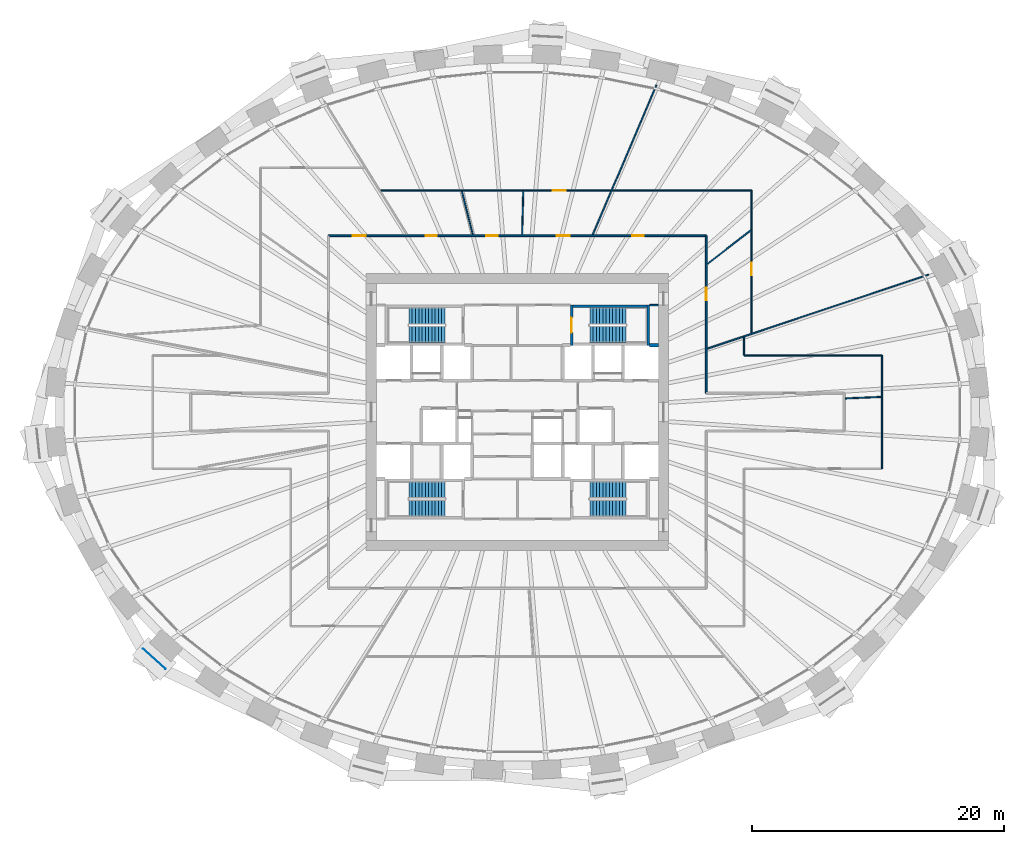
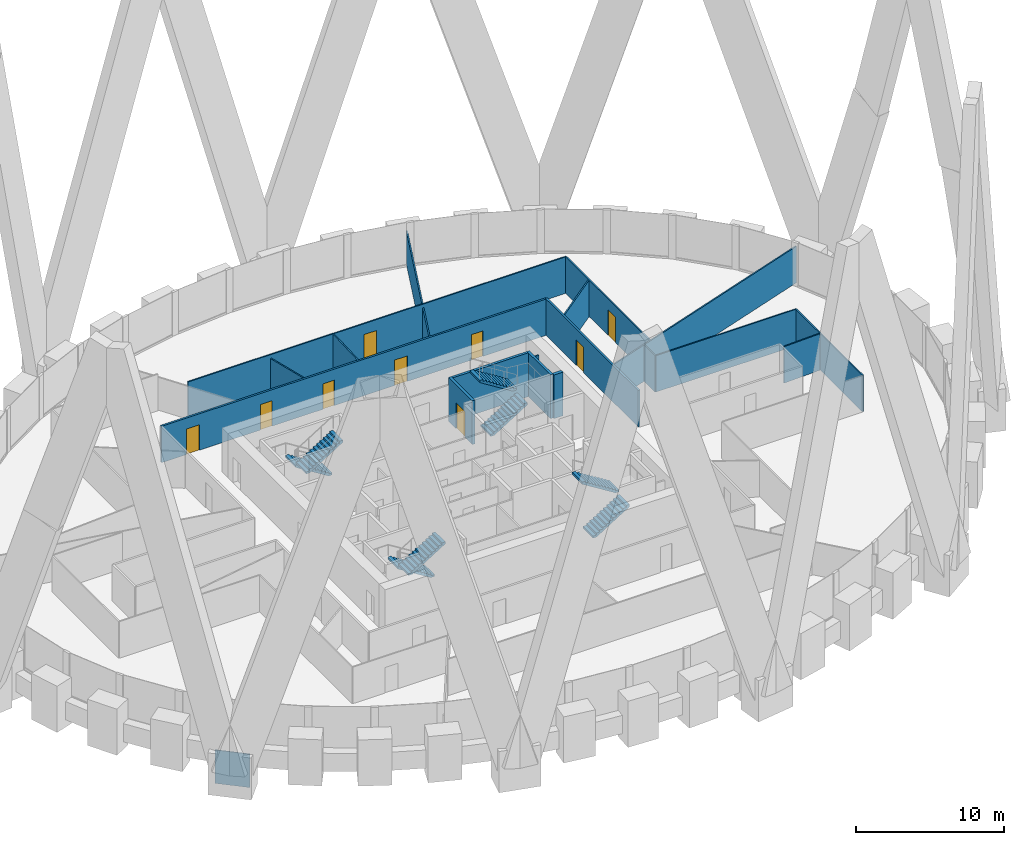
# One storey, part 10 of 12: 18 walls, 9 doors, 8 stair flights, 1 discrete accessory, 9 openings, 4 elements without a shape of their own.
"""IFC4 building model written with IfcOpenShell, lengths in metres."""

from ifc_helpers import new_model, si_unit, direction, frame, frame_2d, origin, origin_2d, place, context, subcontext, project, spatial, polyline, rectangle, outline, extrude, source, transform, mapped, material, layer, layer_set, type_object, element, fill, aggregate, save


model = new_model("IFC4")

# Units and contexts
model_context = context("Model", 3, precision=1e-05, world=origin(), true_north=direction((0.0, 1.0)))
body_context = subcontext(model_context, "Body", "Model", "MODEL_VIEW")
ifc_project = project(units=[si_unit("LENGTHUNIT", "METRE"), si_unit("AREAUNIT", "SQUARE_METRE"), si_unit("VOLUMEUNIT", "CUBIC_METRE"), si_unit("PLANEANGLEUNIT", "RADIAN"), si_unit("MASSUNIT", "GRAM", prefix="KILO")], contexts=[model_context])

# Site, building, storey
site_placement = place(None, origin())
site = spatial("IfcSite", under=ifc_project, at=site_placement, CompositionType="ELEMENT")
building_placement = place(site_placement, origin())
building = spatial("IfcBuilding", under=site, at=building_placement, Name="Embergate Tower", CompositionType="ELEMENT")
storey_placement = place(building_placement, frame((0.0, 0.0, 191.10009765625)))
storey = spatial("IfcBuildingStorey", under=building, at=storey_placement, Name="L43", CompositionType="ELEMENT", Elevation=191.10009765625)

# Wall
ifc_material_1 = material(Name="Concrete C50", Category="concrete")
ifc_layer_1 = layer(ifc_material_1, 0.199951171875)
ifc_layer_set_1 = layer_set([ifc_layer_1], Name="Concrete C50")
wall_type_1 = type_object("IfcWallType", Name="Stair enclosure wall reinforced concrete 250", PredefinedType="SHEAR", material=ifc_layer_set_1)
shared_shape_1 = source(origin(), body_context, "Body", "SweptSolid", [
    extrude(rectangle(XDim=6.300048828125, YDim=0.199951171875, at=frame_2d((3.14990234375, 0.0))), origin(), (0.0, 0.0, 1.0), 3.599853515625),
])
wall_1_placement = place(storey_placement, frame((10.5, 8.39990234375, 0.0), z_axis=(0.0, 0.0, 1.0), x_axis=(-1.0, 0.0, 0.0)))
element("IfcWall", 1, at=wall_1_placement, inside=storey, type_object=wall_type_1, Name="SE-1 wall", PredefinedType="SHEAR", context=body_context, shape_type="MappedRepresentation", body=[
    mapped(shared_shape_1, transform((0.0, 0.0, 0.0))),
])

# Wall, opening, door
shared_shape_2 = source(origin(), body_context, "Body", "SweptSolid", [
    extrude(rectangle(XDim=3.199951171875, YDim=0.199951171875, at=frame_2d((1.60009765625, 0.0))), origin(), (0.0, 0.0, 1.0), 3.599853515625),
])
wall_2_placement = place(storey_placement, frame((4.300048828125, 8.5, 0.0), z_axis=(0.0, 0.0, 1.0), x_axis=(0.0, -1.0, 0.0)))
wall_2 = element("IfcWall", 2, at=wall_2_placement, inside=storey, type_object=wall_type_1, Name="SE-1 wall", PredefinedType="SHEAR", context=body_context, shape_type="MappedRepresentation", body=[
    mapped(shared_shape_2, transform((0.0, 0.0, 0.0))),
])
shared_shape_3 = source(origin(), body_context, "Body", "SweptSolid", [
    extrude(rectangle(XDim=1.199951171875, YDim=2.10009765625, at=frame_2d((0.60009765625, 1.050048828125))), frame((0.0, 0.10986328125, 0.0), z_axis=(0.0, -1.0, 0.0), x_axis=(1.0, 0.0, 0.0)), (0.0, 0.0, 1.0), 0.219970703125),
])
opening_1_placement = place(wall_2_placement, frame((1.0, 0.0, 0.0)))
opening_1 = element("IfcOpeningElement", 3, at=opening_1_placement, cuts=wall_2, Name="Opening IF-2", PredefinedType="OPENING", context=body_context, shape_type="MappedRepresentation", body=[
    mapped(shared_shape_3, transform((0.0, 0.0, 0.0))),
])
ifc_material_2 = material(Name="Stair enclosure door 1200")
door_type_1 = type_object("IfcDoorType", Name="Stair enclosure door 1200", OperationType="SINGLE_SWING_LEFT", PredefinedType="DOOR", material=ifc_material_2)
shared_shape_4 = source(origin(), body_context, "Body", "SweptSolid", [
    extrude(rectangle(XDim=1.199951171875, YDim=2.10009765625, at=frame_2d((0.60009765625, 1.050048828125))), frame((0.0, 0.02490234375, 0.0), z_axis=(0.0, -1.0, 0.0), x_axis=(1.0, 0.0, 0.0)), (0.0, 0.0, 1.0), 0.050048828125),
])
door_1_placement = place(opening_1_placement, origin())
door_1 = element("IfcDoor", 4, at=door_1_placement, inside=storey, type_object=door_type_1, Name="IF-2 door", OperationType="SINGLE_SWING_RIGHT", OverallHeight=2.10009765625, OverallWidth=1.199951171875, PredefinedType="DOOR", context=body_context, shape_type="MappedRepresentation", body=[
    mapped(shared_shape_4, transform((0.0, 0.0, 0.0))),
])
fill(opening_1, door_1)

# Wall
ifc_material_3 = material(Name="Core partition blockwork 120")
ifc_layer_2 = layer(ifc_material_3, 0.1201171875)
ifc_layer_set_2 = layer_set([ifc_layer_2], Name="Core partition blockwork 120")
wall_type_2 = type_object("IfcWallType", Name="Core partition blockwork 120", PredefinedType="PARTITIONING", material=ifc_layer_set_2)
shared_shape_5 = source(origin(), body_context, "Body", "SweptSolid", [
    extrude(rectangle(XDim=0.697998046875, YDim=0.1201171875, at=frame_2d((0.34912109375, 0.0))), origin(), (0.0, 0.0, 1.0), 3.0),
])
wall_3_placement = place(storey_placement, frame((10.501953125, 8.5, 0.0), z_axis=(0.0, 0.0, 1.0), x_axis=(1.0, 0.0, 0.0)))
element("IfcWall", 5, at=wall_3_placement, inside=storey, type_object=wall_type_2, Name="IP-3 wall", PredefinedType="PARTITIONING", context=body_context, shape_type="MappedRepresentation", body=[
    mapped(shared_shape_5, transform((0.0, 0.0, 0.0))),
])

# Wall, openings, doors
ifc_material_4 = material(Name="Corridor wall dry-lined 150")
ifc_layer_3 = layer(ifc_material_4, 0.14990234375)
ifc_layer_set_3 = layer_set([ifc_layer_3], Name="Corridor wall dry-lined 150")
wall_type_3 = type_object("IfcWallType", Name="Corridor wall dry-lined 150", PredefinedType="PARTITIONING", material=ifc_layer_set_3)
shared_shape_6 = source(origin(), body_context, "Body", "SweptSolid", [
    extrude(rectangle(XDim=30.0, YDim=0.14990234375, at=frame_2d((15.0, 0.0))), origin(), (0.0, 0.0, 1.0), 3.0),
])
wall_4_placement = place(storey_placement, frame((-15.0, 14.0, 0.0), z_axis=(0.0, 0.0, 1.0), x_axis=(1.0, 0.0, 0.0)))
wall_4 = element("IfcWall", 6, at=wall_4_placement, inside=storey, type_object=wall_type_3, Name="IP-2 wall", PredefinedType="PARTITIONING", context=body_context, shape_type="MappedRepresentation", body=[
    mapped(shared_shape_6, transform((0.0, 0.0, 0.0))),
])
shared_shape_7 = source(origin(), body_context, "Body", "SweptSolid", [
    extrude(rectangle(XDim=0.89990234375, YDim=2.10009765625, at=frame_2d((0.449951171875, 1.050048828125))), frame((0.0, 0.0849609375, 0.0), z_axis=(0.0, -1.0, 0.0), x_axis=(1.0, 0.0, 0.0)), (0.0, 0.0, 1.0), 0.169921875),
])
opening_2_placement = place(wall_4_placement, frame((24.12109375, 0.0, 0.0)))
opening_2 = element("IfcOpeningElement", 7, at=opening_2_placement, cuts=wall_4, Name="Opening IF-1c", PredefinedType="OPENING", context=body_context, shape_type="MappedRepresentation", body=[
    mapped(shared_shape_7, transform((0.0, 0.0, 0.0))),
])
shared_shape_8 = source(origin(), body_context, "Body", "SweptSolid", [
    extrude(rectangle(XDim=1.0, YDim=2.10009765625, at=frame_2d((0.5, 1.050048828125))), frame((0.0, 0.0849609375, 0.0), z_axis=(0.0, -1.0, 0.0), x_axis=(1.0, 0.0, 0.0)), (0.0, 0.0, 1.0), 0.169921875),
])
opening_3_placement = place(wall_4_placement, frame((18.14208984375, 0.0, 0.0)))
opening_3 = element("IfcOpeningElement", 8, at=opening_3_placement, cuts=wall_4, Name="Opening ID-2", PredefinedType="OPENING", context=body_context, shape_type="MappedRepresentation", body=[
    mapped(shared_shape_8, transform((0.0, 0.0, 0.0))),
])
opening_4_placement = place(wall_4_placement, frame((12.548095703125, 0.0, 0.0)))
opening_4 = element("IfcOpeningElement", 9, at=opening_4_placement, cuts=wall_4, Name="Opening IF-1c", PredefinedType="OPENING", context=body_context, shape_type="MappedRepresentation", body=[
    mapped(shared_shape_7, transform((0.0, 0.0, 0.0))),
])
opening_5_placement = place(wall_4_placement, frame((7.7060546875, 0.0, 0.0)))
opening_5 = element("IfcOpeningElement", 10, at=opening_5_placement, cuts=wall_4, Name="Opening IF-1c", PredefinedType="OPENING", context=body_context, shape_type="MappedRepresentation", body=[
    mapped(shared_shape_7, transform((0.0, 0.0, 0.0))),
])
opening_6_placement = place(wall_4_placement, frame((1.946044921875, 0.0, 0.0)))
opening_6 = element("IfcOpeningElement", 11, at=opening_6_placement, cuts=wall_4, Name="Opening ID-2", PredefinedType="OPENING", context=body_context, shape_type="MappedRepresentation", body=[
    mapped(shared_shape_8, transform((0.0, 0.0, 0.0))),
])
ifc_material_5 = material(Name="Escape fire door 900")
door_type_2 = type_object("IfcDoorType", Name="Escape fire door 900", OperationType="SINGLE_SWING_LEFT", PredefinedType="DOOR", material=ifc_material_5)
shared_shape_9 = source(origin(), body_context, "Body", "SweptSolid", [
    extrude(rectangle(XDim=0.89990234375, YDim=2.10009765625, at=frame_2d((0.449951171875, 1.050048828125))), frame((0.0, 0.02490234375, 0.0), z_axis=(0.0, -1.0, 0.0), x_axis=(1.0, 0.0, 0.0)), (0.0, 0.0, 1.0), 0.050048828125),
])
door_2_placement = place(opening_2_placement, origin())
door_2 = element("IfcDoor", 12, at=door_2_placement, inside=storey, type_object=door_type_2, Name="IF-1 door", OperationType="SINGLE_SWING_LEFT", OverallHeight=2.10009765625, OverallWidth=0.89990234375, PredefinedType="DOOR", context=body_context, shape_type="MappedRepresentation", body=[
    mapped(shared_shape_9, transform((0.0, 0.0, 0.0))),
])
fill(opening_2, door_2)
door_3_placement = place(opening_4_placement, origin())
door_3 = element("IfcDoor", 13, at=door_3_placement, inside=storey, type_object=door_type_2, Name="IF-1 door", OperationType="SINGLE_SWING_RIGHT", OverallHeight=2.10009765625, OverallWidth=0.89990234375, PredefinedType="DOOR", context=body_context, shape_type="MappedRepresentation", body=[
    mapped(shared_shape_9, transform((0.0, 0.0, 0.0))),
])
fill(opening_4, door_3)
door_4_placement = place(opening_5_placement, origin())
door_4 = element("IfcDoor", 14, at=door_4_placement, inside=storey, type_object=door_type_2, Name="IF-1 door", OperationType="SINGLE_SWING_RIGHT", OverallHeight=2.10009765625, OverallWidth=0.89990234375, PredefinedType="DOOR", context=body_context, shape_type="MappedRepresentation", body=[
    mapped(shared_shape_9, transform((0.0, 0.0, 0.0))),
])
fill(opening_5, door_4)
ifc_material_6 = material(Name="Interior door 1000")
door_type_3 = type_object("IfcDoorType", Name="Interior door 1000", OperationType="SINGLE_SWING_LEFT", PredefinedType="DOOR", material=ifc_material_6)
shared_shape_10 = source(origin(), body_context, "Body", "SweptSolid", [
    extrude(rectangle(XDim=1.0, YDim=2.10009765625, at=frame_2d((0.5, 1.050048828125))), frame((0.0, 0.02490234375, 0.0), z_axis=(0.0, -1.0, 0.0), x_axis=(1.0, 0.0, 0.0)), (0.0, 0.0, 1.0), 0.050048828125),
])
door_5_placement = place(opening_3_placement, origin())
door_5 = element("IfcDoor", 15, at=door_5_placement, inside=storey, type_object=door_type_3, Name="ID-2 door", OperationType="SINGLE_SWING_RIGHT", OverallHeight=2.10009765625, OverallWidth=1.0, PredefinedType="DOOR", context=body_context, shape_type="MappedRepresentation", body=[
    mapped(shared_shape_10, transform((0.0, 0.0, 0.0))),
])
fill(opening_3, door_5)
door_6_placement = place(opening_6_placement, origin())
door_6 = element("IfcDoor", 16, at=door_6_placement, inside=storey, type_object=door_type_3, Name="ID-2 door", OperationType="SINGLE_SWING_LEFT", OverallHeight=2.10009765625, OverallWidth=1.0, PredefinedType="DOOR", context=body_context, shape_type="MappedRepresentation", body=[
    mapped(shared_shape_10, transform((0.0, 0.0, 0.0))),
])
fill(opening_6, door_6)

# Wall, opening, door
ifc_material_7 = material(Name="Corridor wall dry-lined 150 wet")
ifc_layer_4 = layer(ifc_material_7, 0.14990234375)
ifc_layer_set_4 = layer_set([ifc_layer_4], Name="Corridor wall dry-lined 150 wet")
wall_type_4 = type_object("IfcWallType", Name="Corridor wall dry-lined 150 wet", PredefinedType="PLUMBINGWALL", material=ifc_layer_set_4)
shared_shape_11 = source(origin(), body_context, "Body", "SweptSolid", [
    extrude(rectangle(XDim=12.5, YDim=0.14990234375, at=frame_2d((6.25, 0.0))), origin(), (0.0, 0.0, 1.0), 3.0),
])
wall_5_placement = place(storey_placement, frame((15.0, 14.0, 0.0), z_axis=(0.0, 0.0, 1.0), x_axis=(0.0, -1.0, 0.0)))
wall_5 = element("IfcWall", 17, at=wall_5_placement, inside=storey, type_object=wall_type_4, Name="IP-2 wall", PredefinedType="PLUMBINGWALL", context=body_context, shape_type="MappedRepresentation", body=[
    mapped(shared_shape_11, transform((0.0, 0.0, 0.0))),
])
opening_7_placement = place(wall_5_placement, frame((4.137939453125, 0.0, 0.0)))
opening_7 = element("IfcOpeningElement", 18, at=opening_7_placement, cuts=wall_5, Name="Opening ID-2", PredefinedType="OPENING", context=body_context, shape_type="MappedRepresentation", body=[
    mapped(shared_shape_8, transform((0.0, 0.0, 0.0))),
])
door_7_placement = place(opening_7_placement, origin())
door_7 = element("IfcDoor", 19, at=door_7_placement, inside=storey, type_object=door_type_3, Name="ID-2 door", OperationType="SINGLE_SWING_RIGHT", OverallHeight=2.10009765625, OverallWidth=1.0, PredefinedType="DOOR", context=body_context, shape_type="MappedRepresentation", body=[
    mapped(shared_shape_10, transform((0.0, 0.0, 0.0))),
])
fill(opening_7, door_7)

# Walls
ifc_material_8 = material(Name="Partition dry-lined 100 wet")
ifc_layer_5 = layer(ifc_material_8, 0.10009765625)
ifc_layer_set_5 = layer_set([ifc_layer_5], Name="Partition dry-lined 100 wet")
wall_type_5 = type_object("IfcWallType", Name="Partition dry-lined 100 wet", PredefinedType="PLUMBINGWALL", material=ifc_layer_set_5)
shared_shape_12 = source(origin(), body_context, "Body", "SweptSolid", [
    extrude(rectangle(XDim=2.87744140625, YDim=0.10009765625, at=frame_2d((1.438720703125, 0.0))), origin(), (0.0, 0.0, 1.0), 3.0),
])
wall_6_placement = place(storey_placement, frame((28.89990234375, 1.201904296875, 0.0), z_axis=(0.0, 0.0, 1.0), x_axis=(-0.999145964937, -0.041319980038, 0.0)))
element("IfcWall", 20, at=wall_6_placement, inside=storey, type_object=wall_type_5, Name="IP-1 wall", PredefinedType="PLUMBINGWALL", context=body_context, shape_type="MappedRepresentation", body=[
    mapped(shared_shape_12, transform((0.0, 0.0, 0.0))),
])
shared_shape_13 = source(origin(), body_context, "Body", "SweptSolid", [
    extrude(rectangle(XDim=9.0, YDim=0.10009765625, at=frame_2d((4.5, 0.0))), origin(), (0.0, 0.0, 1.0), 3.0),
])
wall_7_placement = place(storey_placement, frame((28.949951171875, 4.5, 0.0), z_axis=(0.0, 0.0, 1.0), x_axis=(0.0, -1.0, 0.0)))
element("IfcWall", 21, at=wall_7_placement, inside=storey, type_object=wall_type_5, Name="IP-1 wall", PredefinedType="PLUMBINGWALL", context=body_context, shape_type="MappedRepresentation", body=[
    mapped(shared_shape_13, transform((0.0, 0.0, 0.0))),
])
shared_shape_14 = source(origin(), body_context, "Body", "SweptSolid", [
    extrude(rectangle(XDim=10.949951171875, YDim=0.10009765625, at=frame_2d((5.47509765625, 0.0))), origin(), (0.0, 0.0, 1.0), 3.0),
])
wall_8_placement = place(storey_placement, frame((28.949951171875, 4.5, 0.0), z_axis=(0.0, 0.0, 1.0), x_axis=(-1.0, 0.0, 0.0)))
element("IfcWall", 22, at=wall_8_placement, inside=storey, type_object=wall_type_5, Name="IP-1 wall", PredefinedType="PLUMBINGWALL", context=body_context, shape_type="MappedRepresentation", body=[
    mapped(shared_shape_14, transform((0.0, 0.0, 0.0))),
])
shared_shape_15 = source(origin(), body_context, "Body", "SweptSolid", [
    extrude(rectangle(XDim=1.444091796875, YDim=0.10009765625, at=frame_2d((0.72216796875, 0.0))), origin(), (0.0, 0.0, 1.0), 3.0),
])
wall_9_placement = place(storey_placement, frame((18.0, 4.5, 0.0), z_axis=(0.0, 0.0, 1.0), x_axis=(0.0, 1.0, 0.0)))
element("IfcWall", 23, at=wall_9_placement, inside=storey, type_object=wall_type_5, Name="IP-1 wall", PredefinedType="PLUMBINGWALL", context=body_context, shape_type="MappedRepresentation", body=[
    mapped(shared_shape_15, transform((0.0, 0.0, 0.0))),
])
shared_shape_16 = source(origin(), body_context, "Body", "SweptSolid", [
    extrude(rectangle(XDim=18.518310546875, YDim=0.10009765625, at=frame_2d((9.25927734375, 0.0))), origin(), (0.0, 0.0, 1.0), 3.0),
])
wall_10_placement = place(storey_placement, frame((32.655029296875, 10.908935546875, 0.0), z_axis=(0.0, 0.0, 1.0), x_axis=(-0.94846818323, -0.316872380305, 0.0)))
element("IfcWall", 24, at=wall_10_placement, inside=storey, type_object=wall_type_5, Name="IP-1 wall", PredefinedType="PLUMBINGWALL", context=body_context, shape_type="MappedRepresentation", body=[
    mapped(shared_shape_16, transform((0.0, 0.0, 0.0))),
])
ifc_material_9 = material(Name="Partition dry-lined 100")
ifc_layer_6 = layer(ifc_material_9, 0.10009765625)
ifc_layer_set_6 = layer_set([ifc_layer_6], Name="Partition dry-lined 100")
wall_type_6 = type_object("IfcWallType", Name="Partition dry-lined 100", PredefinedType="PARTITIONING", material=ifc_layer_set_6)
shared_shape_17 = source(origin(), body_context, "Body", "SweptSolid", [
    extrude(rectangle(XDim=4.32666015625, YDim=0.10009765625, at=frame_2d((2.163330078125, 0.0))), origin(), (0.0, 0.0, 1.0), 3.0),
])
wall_11_placement = place(storey_placement, frame((15.10595703125, 11.76611328125, 0.0), z_axis=(0.0, 0.0, 1.0), x_axis=(0.788868859173, 0.614561569761, 0.0)))
element("IfcWall", 25, at=wall_11_placement, inside=storey, type_object=wall_type_6, Name="IP-1 wall", PredefinedType="PARTITIONING", context=body_context, shape_type="MappedRepresentation", body=[
    mapped(shared_shape_17, transform((0.0, 0.0, 0.0))),
])

# Wall, opening, door
shared_shape_18 = source(origin(), body_context, "Body", "SweptSolid", [
    extrude(rectangle(XDim=11.317138671875, YDim=0.10009765625, at=frame_2d((5.65869140625, 0.0))), origin(), (0.0, 0.0, 1.0), 3.0),
])
wall_12_placement = place(storey_placement, frame((18.60009765625, 17.60009765625, 0.0), z_axis=(0.0, 0.0, 1.0), x_axis=(0.0, -1.0, 0.0)))
wall_12 = element("IfcWall", 26, at=wall_12_placement, inside=storey, type_object=wall_type_6, Name="IP-1 wall", PredefinedType="PARTITIONING", context=body_context, shape_type="MappedRepresentation", body=[
    mapped(shared_shape_18, transform((0.0, 0.0, 0.0))),
])
shared_shape_19 = source(origin(), body_context, "Body", "SweptSolid", [
    extrude(rectangle(XDim=1.0, YDim=2.10009765625, at=frame_2d((0.5, 1.050048828125))), frame((0.0, 0.06005859375, 0.0), z_axis=(0.0, -1.0, 0.0), x_axis=(1.0, 0.0, 0.0)), (0.0, 0.0, 1.0), 0.1201171875),
])
opening_8_placement = place(wall_12_placement, frame((5.748046875, 0.0, 0.0)))
opening_8 = element("IfcOpeningElement", 27, at=opening_8_placement, cuts=wall_12, Name="Opening ID-2", PredefinedType="OPENING", context=body_context, shape_type="MappedRepresentation", body=[
    mapped(shared_shape_19, transform((0.0, 0.0, 0.0))),
])
door_8_placement = place(opening_8_placement, origin())
door_8 = element("IfcDoor", 28, at=door_8_placement, inside=storey, type_object=door_type_3, Name="ID-2 door", OperationType="SINGLE_SWING_LEFT", OverallHeight=2.10009765625, OverallWidth=1.0, PredefinedType="DOOR", context=body_context, shape_type="MappedRepresentation", body=[
    mapped(shared_shape_10, transform((0.0, 0.0, 0.0))),
])
fill(opening_8, door_8)

shared_shape_20 = source(origin(), body_context, "Body", "SweptSolid", [
    extrude(rectangle(XDim=29.444091796875, YDim=0.10009765625, at=frame_2d((14.72216796875, 0.0))), origin(), (0.0, 0.0, 1.0), 3.0),
])
wall_13_placement = place(storey_placement, frame((18.60009765625, 17.60009765625, 0.0), z_axis=(0.0, 0.0, 1.0), x_axis=(-1.0, 0.0, 0.0)))
wall_13 = element("IfcWall", 29, at=wall_13_placement, inside=storey, type_object=wall_type_6, Name="IP-1 wall", PredefinedType="PARTITIONING", context=body_context, shape_type="MappedRepresentation", body=[
    mapped(shared_shape_20, transform((0.0, 0.0, 0.0))),
])
opening_9_placement = place(wall_13_placement, frame((14.77197265625, 0.0, 0.0)))
opening_9 = element("IfcOpeningElement", 30, at=opening_9_placement, cuts=wall_13, Name="Opening ID-2", PredefinedType="OPENING", context=body_context, shape_type="MappedRepresentation", body=[
    mapped(shared_shape_19, transform((0.0, 0.0, 0.0))),
])
door_9_placement = place(opening_9_placement, origin())
door_9 = element("IfcDoor", 31, at=door_9_placement, inside=storey, type_object=door_type_3, Name="ID-2 door", OperationType="SINGLE_SWING_RIGHT", OverallHeight=2.10009765625, OverallWidth=1.0, PredefinedType="DOOR", context=body_context, shape_type="MappedRepresentation", body=[
    mapped(shared_shape_10, transform((0.0, 0.0, 0.0))),
])
fill(opening_9, door_9)

# Walls
shared_shape_21 = source(origin(), body_context, "Body", "SweptSolid", [
    extrude(rectangle(XDim=12.89892578125, YDim=0.10009765625, at=frame_2d((6.449462890625, 0.0))), origin(), (0.0, 0.0, 1.0), 2.699951171875),
])
wall_14_placement = place(storey_placement, frame((11.0419921875, 25.965087890625, 0.0), z_axis=(0.0, 0.0, 1.0), x_axis=(-0.391357054533, -0.920238912385, 0.0)))
element("IfcWall", 32, at=wall_14_placement, inside=storey, type_object=wall_type_6, Name="IP-1 wall", PredefinedType="PARTITIONING", context=body_context, shape_type="MappedRepresentation", body=[
    mapped(shared_shape_21, transform((0.0, 0.0, 0.0))),
])
shared_shape_22 = source(origin(), body_context, "Body", "SweptSolid", [
    extrude(rectangle(XDim=3.476318359375, YDim=0.10009765625, at=frame_2d((1.73828125, 0.0))), origin(), (0.0, 0.0, 1.0), 3.0),
])
wall_15_placement = place(storey_placement, frame((0.376953125, 14.074951171875, 0.0), z_axis=(0.0, 0.0, 1.0), x_axis=(0.026757312518, 0.999641959017, 0.0)))
element("IfcWall", 33, at=wall_15_placement, inside=storey, type_object=wall_type_6, Name="IP-1 wall", PredefinedType="PARTITIONING", context=body_context, shape_type="MappedRepresentation", body=[
    mapped(shared_shape_22, transform((0.0, 0.0, 0.0))),
])
shared_shape_23 = source(origin(), body_context, "Body", "SweptSolid", [
    extrude(rectangle(XDim=3.558349609375, YDim=0.10009765625, at=frame_2d((1.779296875, 0.0))), origin(), (0.0, 0.0, 1.0), 2.699951171875),
])
wall_16_placement = place(storey_placement, frame((-3.5400390625, 14.0869140625, 0.0), z_axis=(0.0, 0.0, 1.0), x_axis=(-0.243633225783, 0.969867440063, 0.0)))
element("IfcWall", 34, at=wall_16_placement, inside=storey, type_object=wall_type_6, Name="IP-1 wall", PredefinedType="PARTITIONING", context=body_context, shape_type="MappedRepresentation", body=[
    mapped(shared_shape_23, transform((0.0, 0.0, 0.0))),
])
shared_shape_24 = source(origin(), body_context, "Body", "SweptSolid", [
    extrude(rectangle(XDim=3.196044921875, YDim=0.199951171875, at=frame_2d((1.59814453125, 0.0))), origin(), (0.0, 0.0, 1.0), 3.599853515625),
])
wall_17_placement = place(storey_placement, frame((10.39990234375, 5.302001953125, 0.0), z_axis=(0.0, 0.0, 1.0), x_axis=(0.0, 1.0, 0.0)))
element("IfcWall", 35, at=wall_17_placement, inside=storey, type_object=wall_type_1, Name="SE-1 wall", PredefinedType="SHEAR", context=body_context, shape_type="MappedRepresentation", body=[
    mapped(shared_shape_24, transform((0.0, 0.0, 0.0))),
])
ifc_layer_7 = layer(ifc_material_1, 0.25)
ifc_layer_set_7 = layer_set([ifc_layer_7], Name="Concrete C50")
wall_type_7 = type_object("IfcWallType", Name="Hoistway wall reinforced concrete 250", PredefinedType="SHEAR", material=ifc_layer_set_7)
shared_shape_25 = source(origin(), body_context, "Body", "SweptSolid", [
    extrude(rectangle(XDim=0.697998046875, YDim=0.25, at=frame_2d((0.34912109375, 0.0))), origin(), (0.0, 0.0, 1.0), 3.599853515625),
])
wall_18_placement = place(storey_placement, frame((11.199951171875, 5.300048828125, 0.0), z_axis=(0.0, 0.0, 1.0), x_axis=(-1.0, 0.0, 0.0)))
element("IfcWall", 36, at=wall_18_placement, inside=storey, type_object=wall_type_7, Name="HW-1 wall", PredefinedType="SHEAR", context=body_context, shape_type="MappedRepresentation", body=[
    mapped(shared_shape_25, transform((0.0, 0.0, 0.0))),
])

# Stair, stair flights
ifc_material_10 = material(Name="Exit stair")
stair_type = type_object("IfcStairType", Name="Exit stair", PredefinedType="HALF_TURN_STAIR", material=ifc_material_10)
stair_1_placement = place(storey_placement, origin())
stair_1 = element("IfcStair", 37, at=stair_1_placement, inside=storey, type_object=stair_type, Name="L43 Exit stair 1", PredefinedType="HALF_TURN_STAIR")
ifc_material_11 = material(Name="Concrete C40", Category="concrete")
stair_flight_type = type_object("IfcStairFlightType", Name="Stair flight reinforced concrete", PredefinedType="STRAIGHT", material=ifc_material_11)
shared_shape_26 = source(origin(), body_context, "Body", "SweptSolid", [
    extrude(outline(polyline([(0.0, 0.0), (0.0, 0.16259765625), (0.260009765625, 0.16259765625), (0.260009765625, 0.324951171875), (0.52001953125, 0.324951171875), (0.52001953125, 0.487548828125), (0.780029296875, 0.487548828125), (0.780029296875, 0.64990234375), (1.0400390625, 0.64990234375), (1.0400390625, 0.8125), (1.300048828125, 0.8125), (1.300048828125, 0.97509765625), (1.56005859375, 0.97509765625), (1.56005859375, 1.137451171875), (1.820068359375, 1.137451171875), (1.820068359375, 1.300048828125), (2.080078125, 1.300048828125), (2.080078125, 1.46240234375), (2.340087890625, 1.46240234375), (2.340087890625, 1.625), (2.60009765625, 1.625), (2.60009765625, 1.78759765625), (2.860107421875, 1.78759765625), (2.860107421875, 1.949951171875), (2.860107421875, 1.61083984375), (0.28271484375, 0.0), (0.0, 0.0)])), frame((0.0, 0.675048828125, 0.0), z_axis=(0.0, -1.0, 0.0), x_axis=(1.0, 0.0, 0.0)), (0.0, 0.0, 1.0), 1.35009765625),
])
stair_flight_1_placement = place(storey_placement, frame((-5.75, 7.625, 0.0), z_axis=(0.0, 0.0, 1.0), x_axis=(-1.0, 0.0, 0.0)))
stair_flight_1 = element("IfcStairFlight", 38, at=stair_flight_1_placement, type_object=stair_flight_type, Name="ST1 flight 1", NumberOfRisers=12, NumberOfTreads=11, PredefinedType="STRAIGHT", RiserHeight=0.1625, TreadLength=0.26, context=body_context, shape_type="MappedRepresentation", body=[
    mapped(shared_shape_26, transform((0.0, 0.0, 0.0))),
])
stair_flight_2_placement = place(storey_placement, frame((-8.610107421875, 6.175048828125, 1.949951171875), z_axis=(0.0, 0.0, 1.0), x_axis=(1.0, 0.0, 0.0)))
stair_flight_2 = element("IfcStairFlight", 39, at=stair_flight_2_placement, type_object=stair_flight_type, Name="ST1 flight 2", NumberOfRisers=12, NumberOfTreads=11, PredefinedType="STRAIGHT", RiserHeight=0.1625, TreadLength=0.26, context=body_context, shape_type="MappedRepresentation", body=[
    mapped(shared_shape_26, transform((0.0, 0.0, 0.0))),
])
aggregate(stair_1, [stair_flight_1, stair_flight_2])

stair_2_placement = place(storey_placement, origin())
stair_2 = element("IfcStair", 40, at=stair_2_placement, inside=storey, type_object=stair_type, Name="L43 Exit stair 2", PredefinedType="HALF_TURN_STAIR")
stair_flight_3_placement = place(storey_placement, frame((5.75, 6.175048828125, 0.0), z_axis=(0.0, 0.0, 1.0), x_axis=(1.0, 0.0, 0.0)))
stair_flight_3 = element("IfcStairFlight", 41, at=stair_flight_3_placement, type_object=stair_flight_type, Name="ST2 flight 1", NumberOfRisers=12, NumberOfTreads=11, PredefinedType="STRAIGHT", RiserHeight=0.1625, TreadLength=0.26, context=body_context, shape_type="MappedRepresentation", body=[
    mapped(shared_shape_26, transform((0.0, 0.0, 0.0))),
])
stair_flight_4_placement = place(storey_placement, frame((8.610107421875, 7.625, 1.949951171875), z_axis=(0.0, 0.0, 1.0), x_axis=(-1.0, 0.0, 0.0)))
stair_flight_4 = element("IfcStairFlight", 42, at=stair_flight_4_placement, type_object=stair_flight_type, Name="ST2 flight 2", NumberOfRisers=12, NumberOfTreads=11, PredefinedType="STRAIGHT", RiserHeight=0.1625, TreadLength=0.26, context=body_context, shape_type="MappedRepresentation", body=[
    mapped(shared_shape_26, transform((0.0, 0.0, 0.0))),
])
aggregate(stair_2, [stair_flight_3, stair_flight_4])

stair_3_placement = place(storey_placement, origin())
stair_3 = element("IfcStair", 43, at=stair_3_placement, inside=storey, type_object=stair_type, Name="L43 Exit stair 3", PredefinedType="HALF_TURN_STAIR")
stair_flight_5_placement = place(storey_placement, frame((-5.75, -6.175048828125, 0.0), z_axis=(0.0, 0.0, 1.0), x_axis=(-1.0, 0.0, 0.0)))
stair_flight_5 = element("IfcStairFlight", 44, at=stair_flight_5_placement, type_object=stair_flight_type, Name="ST3 flight 1", NumberOfRisers=12, NumberOfTreads=11, PredefinedType="STRAIGHT", RiserHeight=0.1625, TreadLength=0.26, context=body_context, shape_type="MappedRepresentation", body=[
    mapped(shared_shape_26, transform((0.0, 0.0, 0.0))),
])
stair_flight_6_placement = place(storey_placement, frame((-8.610107421875, -7.625, 1.949951171875), z_axis=(0.0, 0.0, 1.0), x_axis=(1.0, 0.0, 0.0)))
stair_flight_6 = element("IfcStairFlight", 45, at=stair_flight_6_placement, type_object=stair_flight_type, Name="ST3 flight 2", NumberOfRisers=12, NumberOfTreads=11, PredefinedType="STRAIGHT", RiserHeight=0.1625, TreadLength=0.26, context=body_context, shape_type="MappedRepresentation", body=[
    mapped(shared_shape_26, transform((0.0, 0.0, 0.0))),
])
aggregate(stair_3, [stair_flight_5, stair_flight_6])

stair_4_placement = place(storey_placement, origin())
stair_4 = element("IfcStair", 46, at=stair_4_placement, inside=storey, type_object=stair_type, Name="L43 Exit stair 4", PredefinedType="HALF_TURN_STAIR")
stair_flight_7_placement = place(storey_placement, frame((5.75, -7.625, 0.0), z_axis=(0.0, 0.0, 1.0), x_axis=(1.0, 0.0, 0.0)))
stair_flight_7 = element("IfcStairFlight", 47, at=stair_flight_7_placement, type_object=stair_flight_type, Name="ST4 flight 1", NumberOfRisers=12, NumberOfTreads=11, PredefinedType="STRAIGHT", RiserHeight=0.1625, TreadLength=0.26, context=body_context, shape_type="MappedRepresentation", body=[
    mapped(shared_shape_26, transform((0.0, 0.0, 0.0))),
])
stair_flight_8_placement = place(storey_placement, frame((8.610107421875, -6.175048828125, 1.949951171875), z_axis=(0.0, 0.0, 1.0), x_axis=(-1.0, 0.0, 0.0)))
stair_flight_8 = element("IfcStairFlight", 48, at=stair_flight_8_placement, type_object=stair_flight_type, Name="ST4 flight 2", NumberOfRisers=12, NumberOfTreads=11, PredefinedType="STRAIGHT", RiserHeight=0.1625, TreadLength=0.26, context=body_context, shape_type="MappedRepresentation", body=[
    mapped(shared_shape_26, transform((0.0, 0.0, 0.0))),
])
aggregate(stair_4, [stair_flight_7, stair_flight_8])

# Discrete accessory
ifc_material_12 = material(Name="Steel Q355D plate", Category="steel")
discrete_accessory_type = type_object("IfcDiscreteAccessoryType", Name="Lattice node plate", PredefinedType="USERDEFINED", material=ifc_material_12)
shared_shape_27 = source(origin(), body_context, "Body", "SweptSolid", [
    extrude(rectangle(XDim=2.39990234375, YDim=0.050048828125, at=origin_2d()), origin(), (0.0, 0.0, 1.0), 2.760009765625),
])
discrete_accessory_placement = place(storey_placement, frame((-28.833984375, -19.596923828125, -1.3798828125), z_axis=(0.0, 0.0, 1.0), x_axis=(0.74307475021, -0.669208424634, 0.0)))
element("IfcDiscreteAccessory", 49, at=discrete_accessory_placement, inside=storey, type_object=discrete_accessory_type, Name="Node plate", ObjectType="BRACKET", PredefinedType="USERDEFINED", context=body_context, shape_type="MappedRepresentation", body=[
    mapped(shared_shape_27, transform((0.0, 0.0, 0.0))),
])

save(model, "model.ifc")
